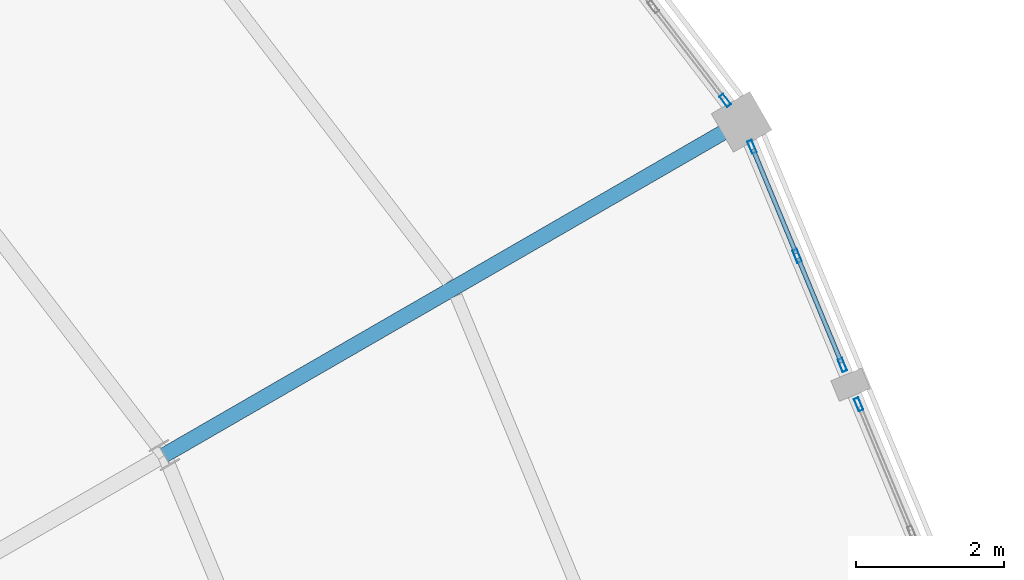
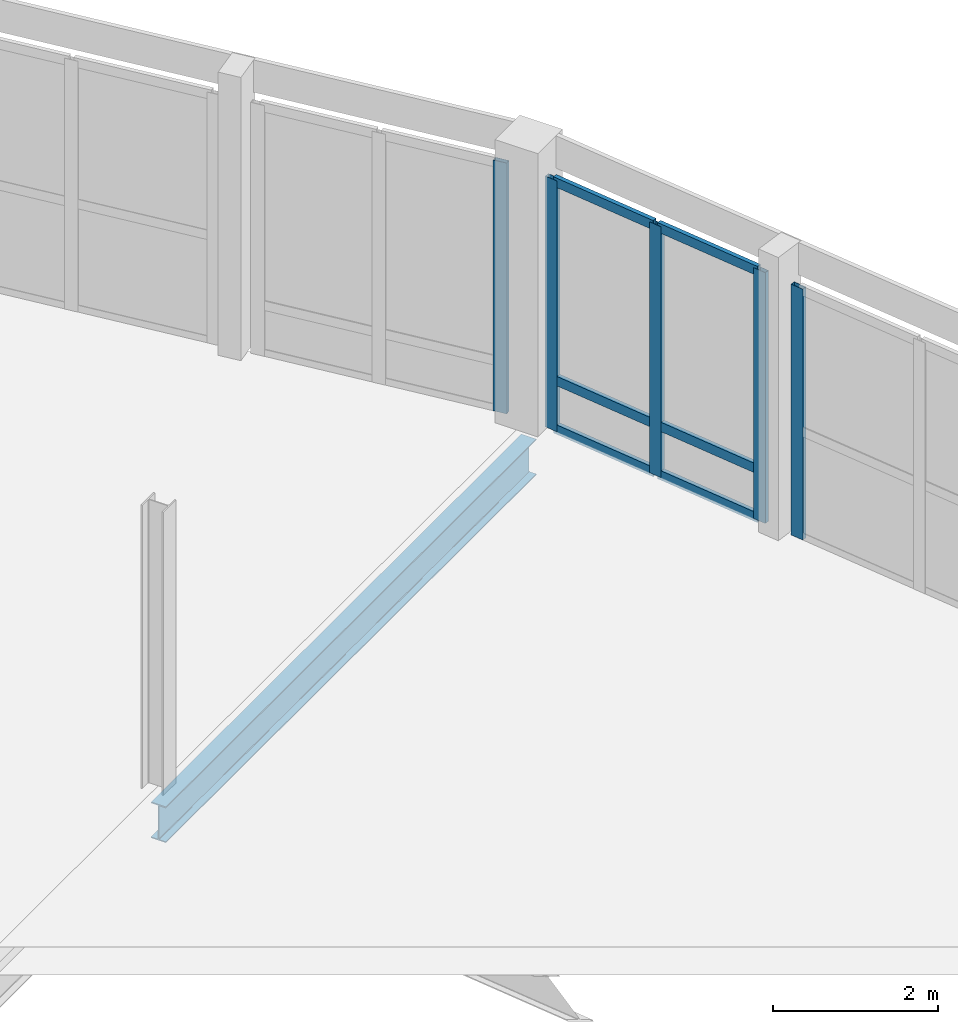
# One storey, part 112 of 170: 11 members, 1 beam, 3 elements without a shape of their own.
"""IFC4 building model written with IfcOpenShell, lengths in metres."""

from ifc_helpers import new_model, si_unit, direction, frame, origin, origin_2d, place, context, subcontext, project, spatial, hollow_rectangle, i_section, extrude, material, material_profile, profile_set, type_object, element, aggregate, save


model = new_model("IFC4")

# Units and contexts
model_context = context("Model", 3, precision=1e-05, world=origin(), true_north=direction((0.0, 1.0)))
body_context = subcontext(model_context, "Body", "Model", "MODEL_VIEW")
ifc_project = project(units=[si_unit("LENGTHUNIT", "METRE"), si_unit("AREAUNIT", "SQUARE_METRE"), si_unit("VOLUMEUNIT", "CUBIC_METRE"), si_unit("PLANEANGLEUNIT", "RADIAN"), si_unit("MASSUNIT", "GRAM", prefix="KILO")], contexts=[model_context])

# Site, building, storey
site_placement = place(None, origin())
site = spatial("IfcSite", under=ifc_project, at=site_placement, CompositionType="ELEMENT")
building_placement = place(site_placement, origin())
building = spatial("IfcBuilding", under=site, at=building_placement, Name="Vondelvale Polytechnic", CompositionType="ELEMENT")
storey_placement = place(building_placement, frame((0.0, 0.0, 5.39990234375)))
storey = spatial("IfcBuildingStorey", under=building, at=storey_placement, Name="L01", CompositionType="ELEMENT", Elevation=5.39990234375)

# Beam
ifc_material_1 = material(Name="Steel 300PLUS (fy = 300 MPa)", Category="steel")
ifc_material_profile_1 = material_profile(ifc_material_1, i_section(OverallWidth=0.208984375, OverallDepth=0.532958984375, WebThickness=0.01025390625, FlangeThickness=0.015625, FilletRadius=0.013916015625, at=origin_2d()), Name="530UB92.4")
ifc_profile_set_1 = profile_set([ifc_material_profile_1], Name="Steel 300PLUS (fy = 300 MPa)")
beam_type = type_object("IfcBeamType", Name="BM-UB530", PredefinedType="BEAM", material=ifc_profile_set_1)
beam_placement = place(storey_placement, frame((134.04296875, 90.5, -0.54638671875), z_axis=(0.866024315419, 0.5000018851, 0.0), x_axis=(-0.5000018851, 0.866024315419, 0.0)))
element("IfcBeam", 1, at=beam_placement, inside=storey, type_object=beam_type, Name="L01 RG B-11", PredefinedType="BEAM", context=body_context, shape_type="SweptSolid", body=[
    extrude(i_section(OverallWidth=0.208984375, OverallDepth=0.532958984375, WebThickness=0.01025390625, FlangeThickness=0.015625, FilletRadius=0.013916015625, at=origin_2d()), origin(), (0.0, 0.0, 1.0), 9.0),
])

# Curtain wall, member
ifc_material_2 = material(Name="Glulam GL18 structural Tasmanian oak (fb = 42 MPa)", Category="wood")
curtain_wall_type = type_object("IfcCurtainWallType", Name="CW-RING-OUTER", PredefinedType="NOTDEFINED", material=ifc_material_2)
curtain_wall_1_placement = place(storey_placement, origin())
curtain_wall_1 = element("IfcCurtainWall", 2, at=curtain_wall_1_placement, inside=storey, type_object=curtain_wall_type, Name="L01 architectural curtain wall CW-04-079", PredefinedType="NOTDEFINED")
ifc_material_3 = material(Name="Anodised extruded aluminium 6063-T6", Category="aluminium")
ifc_material_profile_2 = material_profile(ifc_material_3, hollow_rectangle(XDim=0.06494140625, YDim=0.179931640625, WallThickness=0.00390625, at=origin_2d()), Name="CW-MUL-180x65")
ifc_profile_set_2 = profile_set([ifc_material_profile_2], Name="Anodised extruded aluminium 6063-T6")
member_type_1 = type_object("IfcMemberType", Name="CW-MUL-65x180", PredefinedType="MULLION", material=ifc_profile_set_2)
member_1_placement = place(storey_placement, frame((143.417724609375, 91.18408203125, 0.0), z_axis=(0.0, 0.0, 1.0), x_axis=(-0.92387490701, -0.382694599123, 0.0)))
member_1 = element("IfcMember", 3, at=member_1_placement, type_object=member_type_1, Name="CW-04-079 mullion 3", PredefinedType="MULLION", context=body_context, shape_type="SweptSolid", body=[
    extrude(hollow_rectangle(XDim=0.06494140625, YDim=0.179931640625, WallThickness=0.00390625, at=origin_2d()), origin(), (0.0, 0.0, 1.0), 3.72021484375),
])
aggregate(curtain_wall_1, [member_1])

# Curtain wall, members
curtain_wall_2_placement = place(storey_placement, origin())
curtain_wall_2 = element("IfcCurtainWall", 4, at=curtain_wall_2_placement, inside=storey, type_object=curtain_wall_type, Name="L01 architectural curtain wall CW-04-080", PredefinedType="NOTDEFINED")
member_2_placement = place(storey_placement, frame((143.19775390625, 91.71533203125, 0.0), z_axis=(0.0, 0.0, 1.0), x_axis=(-0.923882033442, -0.382677394529, 0.0)))
member_2 = element("IfcMember", 5, at=member_2_placement, type_object=member_type_1, Name="CW-04-080 mullion 1", PredefinedType="MULLION", context=body_context, shape_type="SweptSolid", body=[
    extrude(hollow_rectangle(XDim=0.06494140625, YDim=0.179931640625, WallThickness=0.00390625, at=origin_2d()), origin(), (0.0, 0.0, 1.0), 3.72021484375),
])
member_3_placement = place(storey_placement, frame((142.58740234375, 93.18896484375, 0.0), z_axis=(0.0, 0.0, 1.0), x_axis=(-0.923882033442, -0.382677394529, 0.0)))
member_3 = element("IfcMember", 6, at=member_3_placement, type_object=member_type_1, Name="CW-04-080 mullion 2", PredefinedType="MULLION", context=body_context, shape_type="SweptSolid", body=[
    extrude(hollow_rectangle(XDim=0.06494140625, YDim=0.179931640625, WallThickness=0.00390625, at=origin_2d()), origin(), (0.0, 0.0, 1.0), 3.72021484375),
])
member_4_placement = place(storey_placement, frame((141.97705078125, 94.66259765625, 0.0), z_axis=(0.0, 0.0, 1.0), x_axis=(-0.923882033442, -0.382677394529, 0.0)))
member_4 = element("IfcMember", 7, at=member_4_placement, type_object=member_type_1, Name="CW-04-080 mullion 3", PredefinedType="MULLION", context=body_context, shape_type="SweptSolid", body=[
    extrude(hollow_rectangle(XDim=0.06494140625, YDim=0.179931640625, WallThickness=0.00390625, at=origin_2d()), origin(), (0.0, 0.0, 1.0), 3.72021484375),
])

# Curtain wall, member
curtain_wall_3_placement = place(storey_placement, origin())
curtain_wall_3 = element("IfcCurtainWall", 8, at=curtain_wall_3_placement, inside=storey, type_object=curtain_wall_type, Name="L01 architectural curtain wall CW-04-090", PredefinedType="NOTDEFINED")
member_5_placement = place(storey_placement, frame((141.614990234375, 95.289794921875, 0.0), z_axis=(0.0, 0.0, 1.0), x_axis=(-0.793333825656, -0.608786860133, 0.0)))
member_5 = element("IfcMember", 9, at=member_5_placement, type_object=member_type_1, Name="CW-04-090 mullion 1", PredefinedType="MULLION", context=body_context, shape_type="SweptSolid", body=[
    extrude(hollow_rectangle(XDim=0.06494140625, YDim=0.179931640625, WallThickness=0.00390625, at=origin_2d()), origin(), (0.0, 0.0, 1.0), 3.72021484375),
])
aggregate(curtain_wall_3, [member_5])

# Member
ifc_material_profile_3 = material_profile(ifc_material_3, hollow_rectangle(XDim=0.06005859375, YDim=0.139892578125, WallThickness=0.00341796875, at=origin_2d()), Name="CW-TRN-140x60")
ifc_profile_set_3 = profile_set([ifc_material_profile_3], Name="Anodised extruded aluminium 6063-T6")
member_type_2 = type_object("IfcMemberType", Name="CW-TRN-60x140", PredefinedType="USERDEFINED", material=ifc_profile_set_3)
member_6_placement = place(storey_placement, frame((143.185302734375, 91.745361328125, 0.030029296875), z_axis=(-0.382643045304, 0.923896260346, 0.0), x_axis=(-0.923896260346, -0.382643045304, 0.0)))
member_6 = element("IfcMember", 10, at=member_6_placement, type_object=member_type_2, Name="CW-04-080 transom 1.1", ObjectType="TRANSOM", PredefinedType="USERDEFINED", context=body_context, shape_type="SweptSolid", body=[
    extrude(hollow_rectangle(XDim=0.06005859375, YDim=0.139892578125, WallThickness=0.00341796875, at=origin_2d()), origin(), (0.0, 0.0, 1.0), 1.530029296875),
])

member_7_placement = place(storey_placement, frame((143.185302734375, 91.745361328125, 0.75), z_axis=(-0.382643045304, 0.923896260346, 0.0), x_axis=(-0.923896260346, -0.382643045304, 0.0)))
member_7 = element("IfcMember", 11, at=member_7_placement, type_object=member_type_2, Name="CW-04-080 transom 1.2", ObjectType="TRANSOM", PredefinedType="USERDEFINED", context=body_context, shape_type="SweptSolid", body=[
    extrude(hollow_rectangle(XDim=0.06005859375, YDim=0.139892578125, WallThickness=0.00341796875, at=origin_2d()), origin(), (0.0, 0.0, 1.0), 1.530029296875),
])

member_8_placement = place(storey_placement, frame((143.185302734375, 91.745361328125, 3.690185546875), z_axis=(-0.382643045304, 0.923896260346, 0.0), x_axis=(-0.923896260346, -0.382643045304, 0.0)))
member_8 = element("IfcMember", 12, at=member_8_placement, type_object=member_type_2, Name="CW-04-080 transom 1.3", ObjectType="TRANSOM", PredefinedType="USERDEFINED", context=body_context, shape_type="SweptSolid", body=[
    extrude(hollow_rectangle(XDim=0.06005859375, YDim=0.139892578125, WallThickness=0.00341796875, at=origin_2d()), origin(), (0.0, 0.0, 1.0), 1.530029296875),
])

member_9_placement = place(storey_placement, frame((142.574951171875, 93.218994140625, 0.030029296875), z_axis=(-0.382779237206, 0.923839843027, 0.0), x_axis=(-0.923839843027, -0.382779237206, 0.0)))
member_9 = element("IfcMember", 13, at=member_9_placement, type_object=member_type_2, Name="CW-04-080 transom 2.1", ObjectType="TRANSOM", PredefinedType="USERDEFINED", context=body_context, shape_type="SweptSolid", body=[
    extrude(hollow_rectangle(XDim=0.06005859375, YDim=0.139892578125, WallThickness=0.00341796875, at=origin_2d()), origin(), (0.0, 0.0, 1.0), 1.530029296875),
])

member_10_placement = place(storey_placement, frame((142.574951171875, 93.218994140625, 0.75), z_axis=(-0.382779237206, 0.923839843027, 0.0), x_axis=(-0.923839843027, -0.382779237206, 0.0)))
member_10 = element("IfcMember", 14, at=member_10_placement, type_object=member_type_2, Name="CW-04-080 transom 2.2", ObjectType="TRANSOM", PredefinedType="USERDEFINED", context=body_context, shape_type="SweptSolid", body=[
    extrude(hollow_rectangle(XDim=0.06005859375, YDim=0.139892578125, WallThickness=0.00341796875, at=origin_2d()), origin(), (0.0, 0.0, 1.0), 1.530029296875),
])

member_11_placement = place(storey_placement, frame((142.574951171875, 93.218994140625, 3.690185546875), z_axis=(-0.382779237206, 0.923839843027, 0.0), x_axis=(-0.923839843027, -0.382779237206, 0.0)))
member_11 = element("IfcMember", 15, at=member_11_placement, type_object=member_type_2, Name="CW-04-080 transom 2.3", ObjectType="TRANSOM", PredefinedType="USERDEFINED", context=body_context, shape_type="SweptSolid", body=[
    extrude(hollow_rectangle(XDim=0.06005859375, YDim=0.139892578125, WallThickness=0.00341796875, at=origin_2d()), origin(), (0.0, 0.0, 1.0), 1.530029296875),
])

aggregate(curtain_wall_2, [member_2, member_3, member_4, member_6, member_7, member_8, member_9, member_10, member_11])

save(model, "model.ifc")
